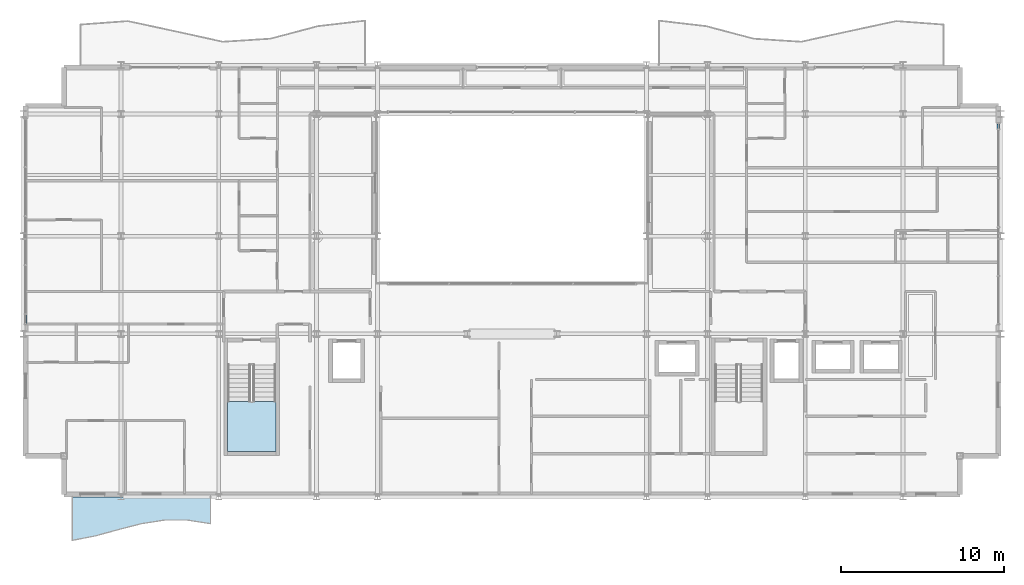
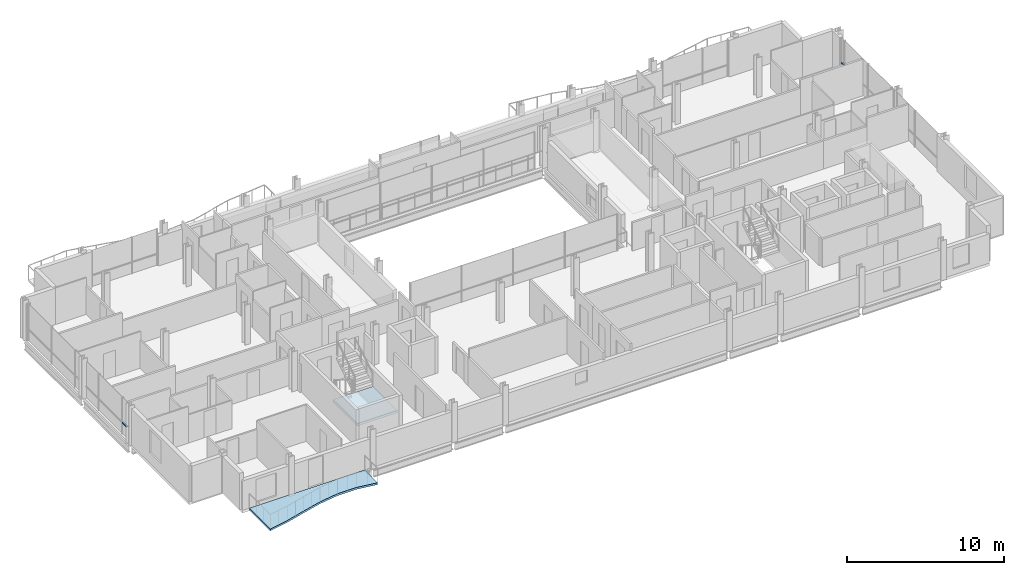
# One storey, part 24 of 36: 2 members, 2 slabs, 3 elements without a shape of their own.
"""IFC4 building model written with IfcOpenShell, lengths in metres."""

import ifcopenshell
import ifcopenshell.guid

model = None  # the IFC model being written
_history = None  # IfcOwnerHistory: only IFC2X3 demands one
_inside = {}  # id of a spatial element -> (the spatial element, [elements in it])
_under = {}  # id of a project, library or spatial element -> (it, [spatial elements below it])
_declared = {}  # id of a project -> (the project, [libraries it declares])
_typed = {}  # id of a type object -> (the type object, [elements of that type])
_made_of = {}  # id of a material, layer set ... -> (it, [elements and type objects made of it])


def new_model(schema):
    """Start an empty IFC model of exactly this schema.

    Asked for "IFC4X3", IfcOpenShell would pick the latest addendum, in which some entities
    have other attributes; the version numbers below select the first issue.
    IFC2X3 requires an IfcOwnerHistory on every rooted entity: one is made here for all.
    """
    global model, _history
    if schema == "IFC4X3":
        model = ifcopenshell.file(schema_version=(4, 3, 0, 0))
    else:
        model = ifcopenshell.file(schema=schema)
    _inside.clear()
    _under.clear()
    _declared.clear()
    _typed.clear()
    _made_of.clear()
    _history = None
    if model.schema == "IFC2X3":
        org = make("IfcOrganization", Name="unknown")
        user = make(
            "IfcPersonAndOrganization",
            ThePerson=make("IfcPerson", FamilyName="unknown"),
            TheOrganization=org,
        )
        app = make(
            "IfcApplication",
            ApplicationDeveloper=org,
            Version="unknown",
            ApplicationFullName="unknown",
            ApplicationIdentifier="unknown",
        )
        _history = make(
            "IfcOwnerHistory",
            OwningUser=user,
            OwningApplication=app,
            ChangeAction="ADDED",
            CreationDate=0,
        )
    return model


def make(cls, **values):
    """One entity of the class cls with the attributes given. An attribute that is None is left unset."""
    return model.create_entity(
        cls, **{name: value for name, value in values.items() if value is not None}
    )


def rooted(cls, **values):
    """An entity with a GlobalId (a new one), such as an element, a storey or a relation."""
    return make(cls, GlobalId=ifcopenshell.guid.new(), OwnerHistory=_history, **values)


def si_unit(unit_type, name, prefix=None):
    """IfcSIUnit, for example si_unit("LENGTHUNIT", "METRE", prefix="MILLI")."""
    return make("IfcSIUnit", UnitType=unit_type, Prefix=prefix, Name=name)


def assignment(units):
    """IfcUnitAssignment: the units of a project."""
    return None if units is None else make("IfcUnitAssignment", Units=units)


def point(xyz):
    """IfcCartesianPoint."""
    return None if xyz is None else make("IfcCartesianPoint", Coordinates=xyz)


def direction(xyz):
    """IfcDirection."""
    return None if xyz is None else make("IfcDirection", DirectionRatios=xyz)


def frame(location, z_axis=None, x_axis=None):
    """IfcAxis2Placement3D, a coordinate frame: its origin and axes. An axis left out is left unset."""
    return make(
        "IfcAxis2Placement3D",
        Location=point(location),
        Axis=direction(z_axis),
        RefDirection=direction(x_axis),
    )


def frame_2d(location, x_axis=None):
    """IfcAxis2Placement2D, a coordinate frame in the plane: its origin and x axis."""
    return make(
        "IfcAxis2Placement2D", Location=point(location), RefDirection=direction(x_axis)
    )


def origin():
    """The frame at (0, 0, 0) with its axes left unset."""
    return frame((0.0, 0.0, 0.0))


def origin_2d():
    """The frame at (0, 0) in the plane with its x axis left unset."""
    return frame_2d((0.0, 0.0))


def place(relative_to, where):
    """IfcLocalPlacement: puts the frame where relative to a parent placement (None: the world)."""
    return make(
        "IfcLocalPlacement", PlacementRelTo=relative_to, RelativePlacement=where
    )


def context(
    kind, dimensions, precision=None, world=None, true_north=None, identifier=None
):
    """IfcGeometricRepresentationContext, for example the 3D "Model" context."""
    return make(
        "IfcGeometricRepresentationContext",
        ContextIdentifier=identifier,
        ContextType=kind,
        CoordinateSpaceDimension=dimensions,
        Precision=precision,
        WorldCoordinateSystem=world,
        TrueNorth=true_north,
    )


def subcontext(parent, identifier, kind, view, scale=None):
    """IfcGeometricRepresentationSubContext, for example "Body" below "Model"."""
    return make(
        "IfcGeometricRepresentationSubContext",
        ContextIdentifier=identifier,
        ContextType=kind,
        ParentContext=parent,
        TargetScale=scale,
        TargetView=view,
    )


def project(units=None, contexts=None):
    """IfcProject with its units and contexts."""
    return rooted(
        "IfcProject",
        Name="project",
        RepresentationContexts=contexts,
        UnitsInContext=assignment(units),
    )


def spatial(cls, under=None, at=None, **own):
    """A site, building, storey or space (cls), placed at a placement, below another one or the project."""
    s = rooted(cls, ObjectPlacement=at, **own)
    if under is not None:
        _under.setdefault(under.id(), (under, []))[1].append(s)
    return s


def polyline(points):
    """IfcPolyline through the points."""
    return make("IfcPolyline", Points=[point(p) for p in points])


def profile(cls, at=None, kind="AREA", **sizes):
    """A parametric profile (cls). Its sizes go by their IFC names, for example OverallWidth=200.0."""
    return make(cls, ProfileType=kind, Position=at, **sizes)


def hollow_rectangle(**sizes):
    """IfcRectangleHollowProfileDef."""
    return profile("IfcRectangleHollowProfileDef", **sizes)


def outline(outer, holes=None, kind="AREA"):
    """IfcArbitraryClosedProfileDef: a profile drawn as a closed curve; with holes, ...WithVoids."""
    if holes is None:
        return make("IfcArbitraryClosedProfileDef", ProfileType=kind, OuterCurve=outer)
    return make(
        "IfcArbitraryProfileDefWithVoids",
        ProfileType=kind,
        OuterCurve=outer,
        InnerCurves=holes,
    )


def extrude(swept, where, along, depth):
    """IfcExtrudedAreaSolid: the profile swept, set in the frame where, extruded along a direction by depth."""
    return make(
        "IfcExtrudedAreaSolid",
        SweptArea=swept,
        Position=where,
        ExtrudedDirection=direction(along),
        Depth=depth,
    )


def shape(context_of_items, identifier, shape_type, items):
    """IfcShapeRepresentation: the items that make up one representation, for example the "Body"."""
    return make(
        "IfcShapeRepresentation",
        ContextOfItems=context_of_items,
        RepresentationIdentifier=identifier,
        RepresentationType=shape_type,
        Items=items,
    )


def material(Name=None, Category=None):
    """IfcMaterial."""
    return make("IfcMaterial", Name=Name, Category=Category)


def layer(
    of_material, thickness, ventilated=None, Name=None, Category=None, Priority=None
):
    """IfcMaterialLayer: one layer of a wall or slab, of a material (None: an air gap)."""
    return make(
        "IfcMaterialLayer",
        Material=of_material,
        LayerThickness=thickness,
        IsVentilated=ventilated,
        Name=Name,
        Category=Category,
        Priority=Priority,
    )


def layer_set(layers, Name=None):
    """IfcMaterialLayerSet."""
    return make("IfcMaterialLayerSet", MaterialLayers=layers, LayerSetName=Name)


def material_profile(
    of_material, cross_section, Name=None, Category=None, Priority=None
):
    """IfcMaterialProfile: a cross section and its material."""
    return make(
        "IfcMaterialProfile",
        Name=Name,
        Material=of_material,
        Profile=cross_section,
        Priority=Priority,
        Category=Category,
    )


def profile_set(profiles, Name=None, composite=None):
    """IfcMaterialProfileSet."""
    return make(
        "IfcMaterialProfileSet",
        Name=Name,
        MaterialProfiles=profiles,
        CompositeProfile=composite,
    )


def made_of(thing, what):
    """Note that an element or type object is made of a material, layer set ...; save() writes the relation."""
    if what is not None:
        _made_of.setdefault(what.id(), (what, []))[1].append(thing)
    return thing


def type_object(cls, material=None, **own):
    """A type object (cls), such as IfcWallType, which elements share."""
    return made_of(rooted(cls, **own), material)


def element(
    cls,
    number,
    at=None,
    inside=None,
    cuts=None,
    type_object=None,
    material=None,
    context=None,
    identifier="Body",
    shape_type=None,
    held_by="IfcProductDefinitionShape",
    body=None,
    shapes=None,
    **own,
):
    """One element of the class cls, such as IfcWall. Its Tag is "e" and its number.

    at: its placement. inside: the storey or other place that contains it. cuts: it is an
    opening in that element (IfcRelVoidsElement). A single representation is given by context,
    identifier, shape_type and body (its items); several are given by shapes. held_by: the class
    of the entity that holds the representations. save() writes the other relations.
    """
    e = rooted(cls, Tag="e%d" % number, ObjectPlacement=at, **own)
    if body is not None:
        shapes = [shape(context, identifier, shape_type, body)]
    if shapes is not None:
        e.Representation = make(held_by, Representations=shapes)
    if inside is not None:
        _inside.setdefault(inside.id(), (inside, []))[1].append(e)
    if cuts is not None:
        rooted(
            "IfcRelVoidsElement", RelatingBuildingElement=cuts, RelatedOpeningElement=e
        )
    if type_object is not None:
        _typed.setdefault(type_object.id(), (type_object, []))[1].append(e)
    return made_of(e, material)


def aggregate(whole, parts):
    """IfcRelAggregates: a whole, such as a stair, and the parts it consists of."""
    return rooted("IfcRelAggregates", RelatingObject=whole, RelatedObjects=parts)


def save(model, path):
    """Write the relations noted so far, then the file.

    IfcRelAggregates (storeys below a building ...), IfcRelContainedInSpatialStructure (elements
    in a storey), IfcRelDefinesByType, IfcRelAssociatesMaterial and IfcRelDeclares: one each for
    every whole, place, type object, material and project.
    """
    for whole, parts in _under.values():
        aggregate(whole, parts)
    for where, things in _inside.values():
        rooted(
            "IfcRelContainedInSpatialStructure",
            RelatedElements=things,
            RelatingStructure=where,
        )
    for kind, things in _typed.values():
        rooted("IfcRelDefinesByType", RelatedObjects=things, RelatingType=kind)
    for what, things in _made_of.values():
        rooted("IfcRelAssociatesMaterial", RelatedObjects=things, RelatingMaterial=what)
    for by, libraries in _declared.values():
        rooted("IfcRelDeclares", RelatingContext=by, RelatedDefinitions=libraries)
    model.write(path)


model = new_model("IFC4")

# Units and contexts
model_context = context("Model", 3, precision=1e-05, world=origin(), true_north=direction((0.0, 1.0)))
body_context = subcontext(model_context, "Body", "Model", "MODEL_VIEW")
ifc_project = project(units=[si_unit("LENGTHUNIT", "METRE"), si_unit("AREAUNIT", "SQUARE_METRE"), si_unit("VOLUMEUNIT", "CUBIC_METRE"), si_unit("PLANEANGLEUNIT", "RADIAN"), si_unit("MASSUNIT", "GRAM", prefix="KILO")], contexts=[model_context])

# Site, building, storey
site_placement = place(None, origin())
site = spatial("IfcSite", under=ifc_project, at=site_placement, CompositionType="ELEMENT")
building_placement = place(site_placement, origin())
building = spatial("IfcBuilding", under=site, at=building_placement, Name="Brevholm Reach", CompositionType="ELEMENT")
storey_placement = place(building_placement, frame((0.0, 0.0, 175.89990234375)))
storey = spatial("IfcBuildingStorey", under=building, at=storey_placement, Name="L53", CompositionType="ELEMENT", Elevation=175.89990234375)

# Curtain wall, member
ifc_material_1 = material(Name="Dark Anodised Aluminium 6063-T6 and Solar-Control Glass", Category="aluminium")
ifc_layer_1 = layer(ifc_material_1, 0.14990234375)
ifc_layer_set_1 = layer_set([ifc_layer_1], Name="Dark Anodised Aluminium 6063-T6 and Solar-Control Glass")
curtain_wall_type = type_object("IfcCurtainWallType", Name="CW-01", PredefinedType="NOTDEFINED", material=ifc_layer_set_1)
curtain_wall_1_placement = place(storey_placement, origin())
curtain_wall_1 = element("IfcCurtainWall", 1, at=curtain_wall_1_placement, inside=storey, type_object=curtain_wall_type, Name="L53 Curtain Wall CW-01", PredefinedType="NOTDEFINED")
ifc_material_2 = material(Name="Dark Anodised Aluminium 6063-T6", Category="aluminium")
ifc_material_profile = material_profile(ifc_material_2, hollow_rectangle(XDim=0.06494140625, YDim=0.14990234375, WallThickness=0.0048828125, InnerFilletRadius=0.0048828125, OuterFilletRadius=0.010009765625, at=origin_2d()), Name="RHS 150x65x5")
ifc_profile_set = profile_set([ifc_material_profile], Name="Dark Anodised Aluminium 6063-T6")
member_type = type_object("IfcMemberType", Name="CWT-150", PredefinedType="NOTDEFINED", material=ifc_profile_set)
member_1_placement = place(storey_placement, frame((0.14990234375, 11.1875, 0.900146484375), z_axis=(0.0, -1.0, 0.0), x_axis=(0.0, 0.0, 1.0)))
member_1 = element("IfcMember", 2, at=member_1_placement, type_object=member_type, Name="CT-150 Transom 5.1", ObjectType="TRANSOM", PredefinedType="USERDEFINED", context=body_context, shape_type="SweptSolid", body=[
    extrude(hollow_rectangle(XDim=0.06494140625, YDim=0.14990234375, WallThickness=0.0048828125, InnerFilletRadius=0.0048828125, OuterFilletRadius=0.010009765625, at=origin_2d()), origin(), (0.0, 0.0, 1.0), 0.572509765625),
])
aggregate(curtain_wall_1, [member_1])

curtain_wall_2_placement = place(storey_placement, origin())
curtain_wall_2 = element("IfcCurtainWall", 3, at=curtain_wall_2_placement, inside=storey, type_object=curtain_wall_type, Name="L53 Curtain Wall CW-01", PredefinedType="NOTDEFINED")
member_2_placement = place(storey_placement, frame((59.85009765625, 22.58251953125, 0.900146484375), z_axis=(0.0, 1.0, 0.0), x_axis=(0.0, 0.0, 1.0)))
member_2 = element("IfcMember", 4, at=member_2_placement, type_object=member_type, Name="CT-150 Transom 5.1", ObjectType="TRANSOM", PredefinedType="USERDEFINED", context=body_context, shape_type="SweptSolid", body=[
    extrude(hollow_rectangle(XDim=0.06494140625, YDim=0.14990234375, WallThickness=0.0048828125, InnerFilletRadius=0.0048828125, OuterFilletRadius=0.010009765625, at=origin_2d()), origin(), (0.0, 0.0, 1.0), 0.302490234375),
])
aggregate(curtain_wall_2, [member_2])

# Slab
ifc_material_3 = material(Name="Precast Concrete C45/55", Category="concrete")
ifc_layer_2 = layer(ifc_material_3, 0.14990234375)
ifc_layer_set_2 = layer_set([ifc_layer_2], Name="Precast Concrete C45/55")
slab_type_1 = type_object("IfcSlabType", Name="SLB-BAL-150", PredefinedType="FLOOR", material=ifc_layer_set_2)
slab_1_placement = place(storey_placement, frame((0.0, 0.0, -0.14990234375)))
element("IfcSlab", 5, at=slab_1_placement, inside=storey, type_object=slab_type_1, Name="L53 Rippling External Balcony SW", PredefinedType="FLOOR", context=body_context, shape_type="SweptSolid", body=[
    extrude(outline(polyline([(3.0, -2.676513671875), (4.416748046875, -2.402099609375), (5.833251953125, -2.01611328125), (7.25, -1.650146484375), (8.666748046875, -1.429443359375), (10.083251953125, -1.429443359375), (11.5, -1.650146484375), (11.5, 0.0), (3.0, 0.0), (3.0, -2.676513671875)])), origin(), (0.0, 0.0, 1.0), 0.14990234375),
])

# Stair, slab
ifc_material_4 = material(Name="Precast Concrete C40/50", Category="concrete")
stair_type = type_object("IfcStairType", Name="STR-ESC-1400", PredefinedType="DOUBLE_RETURN_STAIR", material=ifc_material_4)
stair_placement = place(storey_placement, origin())
stair = element("IfcStair", 6, at=stair_placement, inside=storey, type_object=stair_type, Name="L53 ST-1", PredefinedType="DOUBLE_RETURN_STAIR")
ifc_material_5 = material(Name="Concrete C40/50", Category="concrete")
ifc_layer_3 = layer(ifc_material_5, 0.199951171875)
ifc_layer_set_3 = layer_set([ifc_layer_3], Name="Concrete C40/50")
slab_type_2 = type_object("IfcSlabType", Name="SLB-LND-200", PredefinedType="LANDING", material=ifc_layer_set_3)
slab_2_placement = place(storey_placement, frame((0.0, 0.0, 1.35009765625)))
slab_2 = element("IfcSlab", 7, at=slab_2_placement, type_object=slab_type_2, Name="ST-1 landing 1", PredefinedType="LANDING", context=body_context, shape_type="SweptSolid", body=[
    extrude(outline(polyline([(12.550048828125, 5.860107421875), (12.550048828125, 2.780029296875), (15.5, 2.780029296875), (15.5, 5.860107421875), (12.550048828125, 5.860107421875)])), origin(), (0.0, 0.0, 1.0), 0.199951171875),
])
aggregate(stair, [slab_2])

save(model, "model.ifc")
